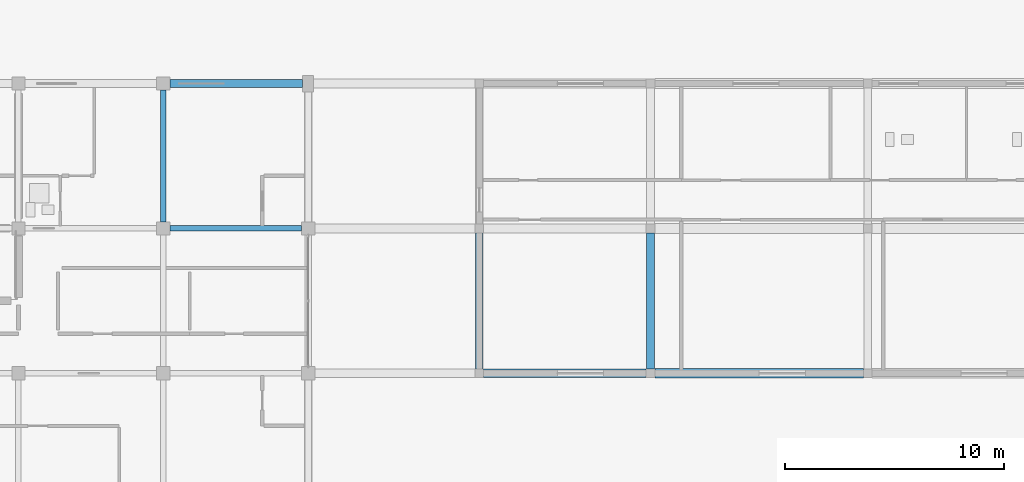
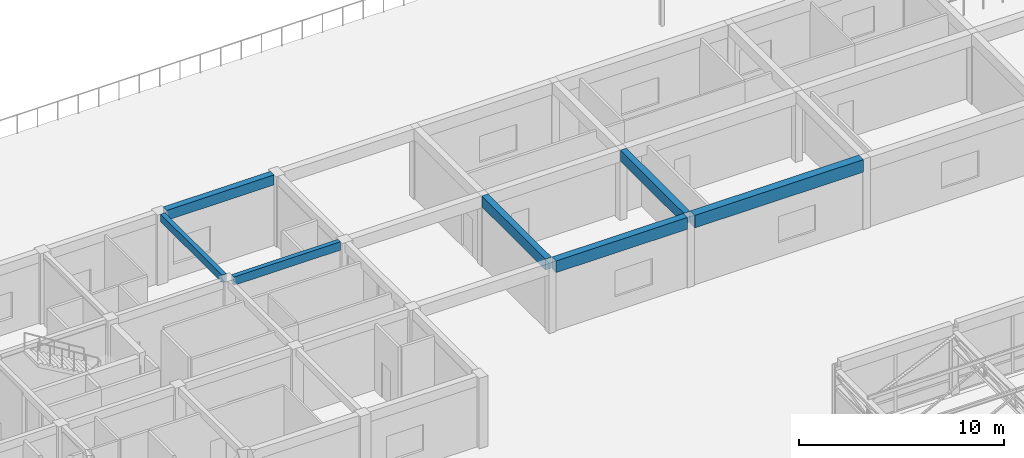
# One storey, part 38 of 92: 7 beams.
"""IFC4 building model written with IfcOpenShell, lengths in metres."""

from ifc_helpers import new_model, si_unit, direction, frame, origin, origin_2d, place, context, subcontext, project, spatial, rectangle, extrude, material, material_profile, profile_set, type_object, element, save


model = new_model("IFC4")

# Units and contexts
model_context = context("Model", 3, precision=1e-05, world=origin(), true_north=direction((0.0, 1.0)))
body_context = subcontext(model_context, "Body", "Model", "MODEL_VIEW")
ifc_project = project(units=[si_unit("LENGTHUNIT", "METRE"), si_unit("AREAUNIT", "SQUARE_METRE"), si_unit("VOLUMEUNIT", "CUBIC_METRE"), si_unit("PLANEANGLEUNIT", "RADIAN"), si_unit("MASSUNIT", "GRAM", prefix="KILO")], contexts=[model_context])

# Site, building, storey
site_placement = place(None, origin())
site = spatial("IfcSite", under=ifc_project, at=site_placement, CompositionType="ELEMENT")
building_placement = place(site_placement, origin())
building = spatial("IfcBuilding", under=site, at=building_placement, Name="Kernevlak Ridge Housing Community", CompositionType="ELEMENT")
storey_placement = place(building_placement, frame((0.0, 0.0, 4.199951171875)))
storey = spatial("IfcBuildingStorey", under=building, at=storey_placement, Name="L01", CompositionType="ELEMENT", Elevation=4.199951171875)

# Beams
ifc_material = material(Name="Concrete C35/45", Category="concrete")
ifc_material_profile_1 = material_profile(ifc_material, rectangle(XDim=0.39990234375, YDim=0.699951171875, at=origin_2d()), Name="RC 400x700")
ifc_profile_set_1 = profile_set([ifc_material_profile_1], Name="Concrete C35/45")
beam_type_1 = type_object("IfcBeamType", Name="B-01", PredefinedType="BEAM", material=ifc_profile_set_1)
beam_1_placement = place(storey_placement, frame((56.60009765625, 82.60009765625, 3.85009765625), z_axis=(1.0, 0.0, 0.0), x_axis=(0.0, 1.0, 0.0)))
element("IfcBeam", 1, at=beam_1_placement, inside=storey, type_object=beam_type_1, Name="Beam B-01 L01 2424", PredefinedType="BEAM", context=body_context, shape_type="SweptSolid", body=[
    extrude(rectangle(XDim=0.39990234375, YDim=0.699951171875, at=origin_2d()), origin(), (0.0, 0.0, 1.0), 7.39990234375),
])
ifc_material_profile_2 = material_profile(ifc_material, rectangle(XDim=0.35009765625, YDim=0.64990234375, at=origin_2d()), Name="RC 350x650")
ifc_profile_set_2 = profile_set([ifc_material_profile_2], Name="Concrete C35/45")
beam_type_2 = type_object("IfcBeamType", Name="B-02", PredefinedType="BEAM", material=ifc_profile_set_2)
for number, where, z_axis, x_axis, name in (
    (2, (56.39990234375, 82.800048828125, 3.875), (0.0, 1.0, 0.0), (-1.0, 0.0, 0.0), "Beam B-02 L01 2444"),
    (3, (64.199951171875, 82.800048828125, 3.875), (0.0, 1.0, 0.0), (-1.0, 0.0, 0.0), "Beam B-02 L01 2446"),
):
    element("IfcBeam", number, at=place(storey_placement, frame(where, z_axis=z_axis, x_axis=x_axis)), inside=storey, type_object=beam_type_2, Name=name, PredefinedType="BEAM", context=body_context, shape_type="SweptSolid", body=[
        extrude(rectangle(XDim=0.35009765625, YDim=0.64990234375, at=origin_2d()), origin(), (0.0, 0.0, 1.0), 6.199951171875),
    ])
ifc_material_profile_3 = material_profile(ifc_material, rectangle(XDim=0.25, YDim=0.449951171875, at=origin_2d()), Name="RC 250x450")
ifc_profile_set_3 = profile_set([ifc_material_profile_3], Name="Concrete C35/45")
beam_type_3 = type_object("IfcBeamType", Name="B-04", PredefinedType="T_BEAM", material=ifc_profile_set_3)
beam_2_placement = place(storey_placement, frame((42.0, 89.5, 3.97509765625), z_axis=(0.0, 1.0, 0.0), x_axis=(-1.0, 0.0, 0.0)))
element("IfcBeam", 4, at=beam_2_placement, inside=storey, type_object=beam_type_3, Name="Beam B-04 L01 105", PredefinedType="T_BEAM", context=body_context, shape_type="SweptSolid", body=[
    extrude(rectangle(XDim=0.25, YDim=0.449951171875, at=origin_2d()), origin(), (0.0, 0.0, 1.0), 6.0),
])
ifc_material_profile_4 = material_profile(ifc_material, rectangle(XDim=0.449951171875, YDim=0.75, at=origin_2d()), Name="RC 450x750")
ifc_profile_set_4 = profile_set([ifc_material_profile_4], Name="Concrete C35/45")
beam_type_4 = type_object("IfcBeamType", Name="B-05", PredefinedType="BEAM", material=ifc_profile_set_4)
beam_3_placement = place(storey_placement, frame((64.39990234375, 82.60009765625, 3.824951171875), z_axis=(1.0, 0.0, 0.0), x_axis=(0.0, 1.0, 0.0)))
element("IfcBeam", 5, at=beam_3_placement, inside=storey, type_object=beam_type_4, Name="Beam B-05 L01 2425", PredefinedType="BEAM", context=body_context, shape_type="SweptSolid", body=[
    extrude(rectangle(XDim=0.449951171875, YDim=0.75, at=origin_2d()), origin(), (0.0, 0.0, 1.0), 9.5),
])
ifc_material_profile_5 = material_profile(ifc_material, rectangle(XDim=0.25, YDim=0.5, at=origin_2d()), Name="RC 250x500")
ifc_profile_set_5 = profile_set([ifc_material_profile_5], Name="Concrete C35/45")
beam_type_5 = type_object("IfcBeamType", Name="B-06", PredefinedType="T_BEAM", material=ifc_profile_set_5)
beam_4_placement = place(storey_placement, frame((42.300048828125, 89.199951171875, 3.949951171875), z_axis=(1.0, 0.0, 0.0), x_axis=(0.0, 1.0, 0.0)))
element("IfcBeam", 6, at=beam_4_placement, inside=storey, type_object=beam_type_5, Name="Beam B-06 L01 87", PredefinedType="T_BEAM", context=body_context, shape_type="SweptSolid", body=[
    extrude(rectangle(XDim=0.25, YDim=0.5, at=origin_2d()), origin(), (0.0, 0.0, 1.0), 6.0),
])
ifc_material_profile_6 = material_profile(ifc_material, rectangle(XDim=0.35009765625, YDim=0.60009765625, at=origin_2d()), Name="RC 350x600")
ifc_profile_set_6 = profile_set([ifc_material_profile_6], Name="Concrete C35/45")
beam_type_6 = type_object("IfcBeamType", Name="SP-03", PredefinedType="SPANDREL", material=ifc_profile_set_6)
beam_5_placement = place(storey_placement, frame((42.300048828125, 95.800048828125, 3.900146484375), z_axis=(1.0, 0.0, 0.0), x_axis=(0.0, 1.0, 0.0)))
element("IfcBeam", 7, at=beam_5_placement, inside=storey, type_object=beam_type_6, Name="Beam SP-03 L01 92", PredefinedType="SPANDREL", context=body_context, shape_type="SweptSolid", body=[
    extrude(rectangle(XDim=0.35009765625, YDim=0.60009765625, at=origin_2d()), origin(), (0.0, 0.0, 1.0), 6.050048828125),
])

save(model, "model.ifc")
